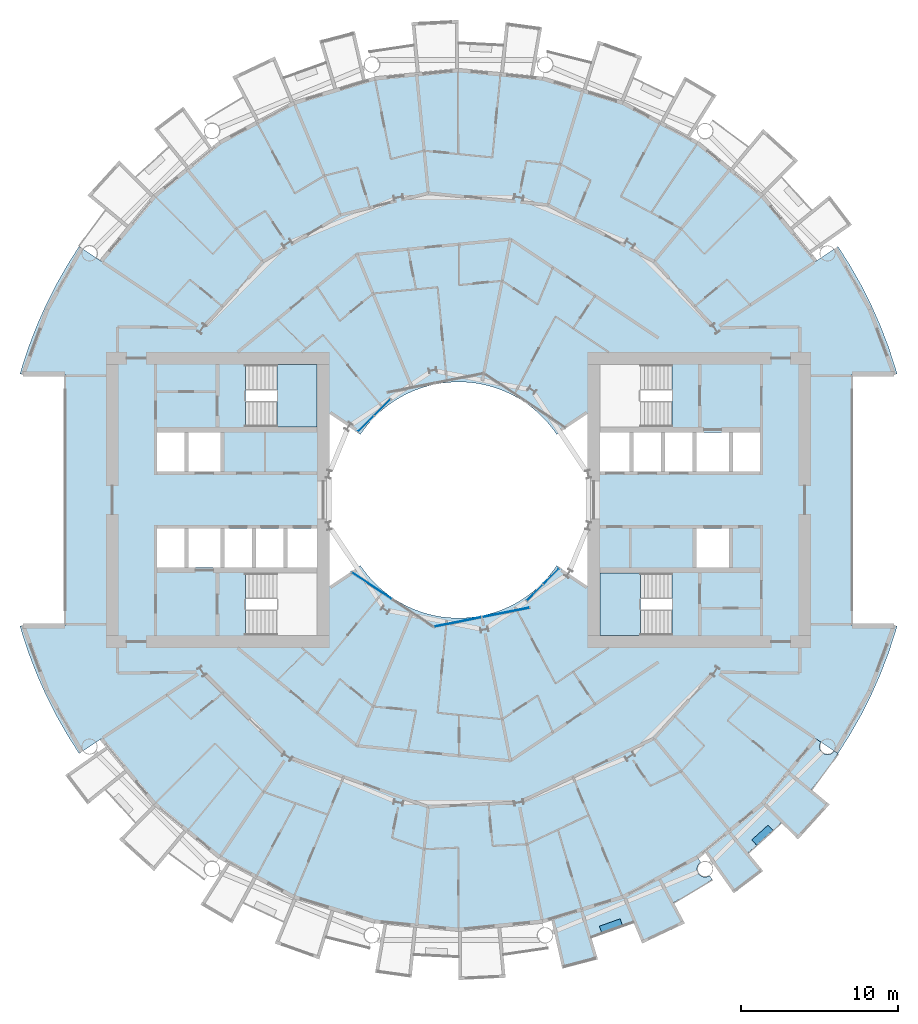
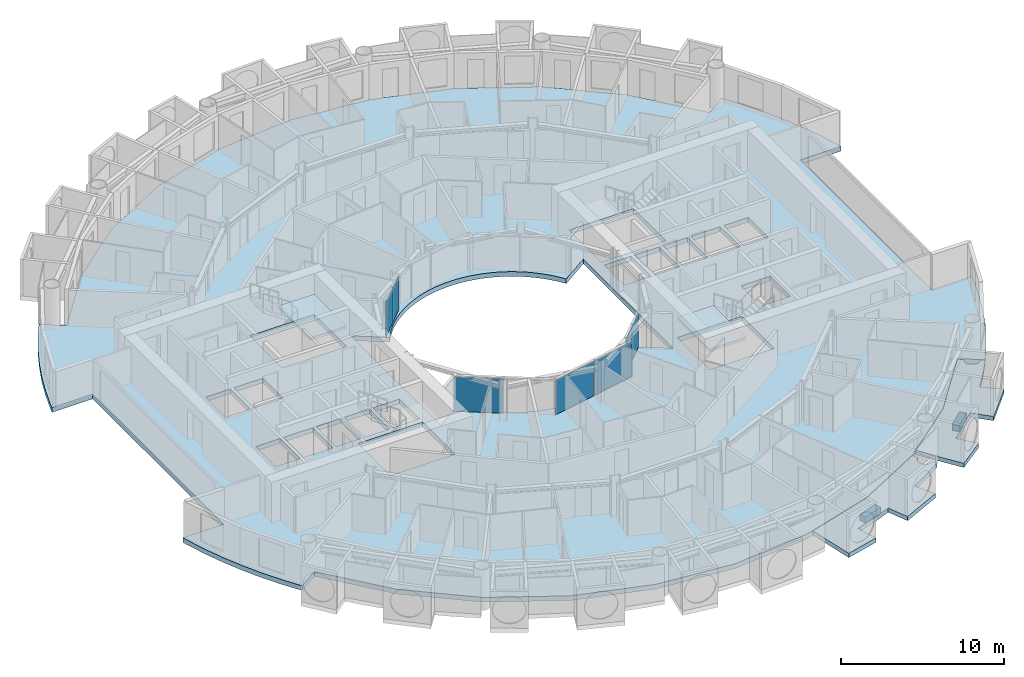
# One storey, part 10 of 26: 7 plates, 7 slabs, 6 elements without a shape of their own.
"""IFC4 building model written with IfcOpenShell, lengths in metres."""

from ifc_helpers import new_model, si_unit, direction, frame, origin, origin_2d, place, context, subcontext, project, spatial, polyline, rectangle, outline, extrude, material, layer, layer_set, type_object, element, aggregate, save


model = new_model("IFC4")

# Units and contexts
model_context = context("Model", 3, precision=1e-05, world=origin(), true_north=direction((0.0, 1.0)))
body_context = subcontext(model_context, "Body", "Model", "MODEL_VIEW")
ifc_project = project(units=[si_unit("LENGTHUNIT", "METRE"), si_unit("AREAUNIT", "SQUARE_METRE"), si_unit("VOLUMEUNIT", "CUBIC_METRE"), si_unit("PLANEANGLEUNIT", "RADIAN"), si_unit("MASSUNIT", "GRAM", prefix="KILO")], contexts=[model_context])

# Site, building, storey
site_placement = place(None, origin())
site = spatial("IfcSite", under=ifc_project, at=site_placement, CompositionType="ELEMENT")
building_placement = place(site_placement, origin())
building = spatial("IfcBuilding", under=site, at=building_placement, Name="Maasbend Ring Residences", CompositionType="ELEMENT")
storey_placement = place(building_placement, frame((0.0, 0.0, 25.85009765625)))
storey = spatial("IfcBuildingStorey", under=building, at=storey_placement, Name="L06", CompositionType="ELEMENT", Elevation=25.85009765625)

# Stair, slab
ifc_material_1 = material(Name="Concrete C40/50", Category="concrete")
stair_type = type_object("IfcStairType", Name="CORE STAIR 18 RISERS", PredefinedType="HALF_TURN_STAIR", material=ifc_material_1)
stair_1_placement = place(storey_placement, origin())
stair_1 = element("IfcStair", 1, at=stair_1_placement, inside=storey, type_object=stair_type, Name="L06 Exit stair ST-E2", PredefinedType="HALF_TURN_STAIR")
ifc_material_2 = material(Name="Concrete C40/50", Category="concrete")
ifc_layer_1 = layer(ifc_material_2, 0.199951171875)
ifc_layer_set_1 = layer_set([ifc_layer_1], Name="Concrete C40/50")
slab_type_1 = type_object("IfcSlabType", Name="CORE STAIR LANDING 200", PredefinedType="LANDING", material=ifc_layer_set_1)
slab_1_placement = place(storey_placement, frame((0.0, 0.0, 1.324951171875)))
slab_1 = element("IfcSlab", 2, at=slab_1_placement, type_object=slab_type_1, Name="ST-E2 landing 1", PredefinedType="LANDING", context=body_context, shape_type="SweptSolid", body=[
    extrude(outline(polyline([(11.550048828125, -4.64990234375), (9.0, -4.64990234375), (9.0, -8.60009765625), (11.550048828125, -8.60009765625), (11.550048828125, -4.64990234375)])), origin(), (0.0, 0.0, 1.0), 0.199951171875),
])
aggregate(stair_1, [slab_1])

stair_2_placement = place(storey_placement, origin())
stair_2 = element("IfcStair", 3, at=stair_2_placement, inside=storey, type_object=stair_type, Name="L06 Exit stair ST-W2", PredefinedType="HALF_TURN_STAIR")
slab_2_placement = place(storey_placement, frame((0.0, 0.0, 1.324951171875)))
slab_2 = element("IfcSlab", 4, at=slab_2_placement, type_object=slab_type_1, Name="ST-W2 landing 1", PredefinedType="LANDING", context=body_context, shape_type="SweptSolid", body=[
    extrude(outline(polyline([(-11.550048828125, 4.64990234375), (-9.0, 4.64990234375), (-9.0, 8.60009765625), (-11.550048828125, 8.60009765625), (-11.550048828125, 4.64990234375)])), origin(), (0.0, 0.0, 1.0), 0.199951171875),
])
aggregate(stair_2, [slab_2])

# Curtain wall, plates
ifc_material_3 = material(Name="Aluminium and clear glass", Category="aluminium")
ifc_layer_2 = layer(ifc_material_3, 0.179931640625)
ifc_layer_set_2 = layer_set([ifc_layer_2], Name="CW-W")
curtain_wall_type = type_object("IfcCurtainWallType", Name="CW-W", PredefinedType="NOTDEFINED", material=ifc_layer_set_2)
curtain_wall_1_placement = place(storey_placement, origin())
curtain_wall_1 = element("IfcCurtainWall", 5, at=curtain_wall_1_placement, inside=storey, type_object=curtain_wall_type, Name="Well curtain wall N3", PredefinedType="NOTDEFINED")
ifc_material_4 = material(Name="Glass clear laminated", Category="glass")
ifc_layer_3 = layer(ifc_material_4, 0.031982421875)
ifc_layer_set_3 = layer_set([ifc_layer_3], Name="CWP-W")
plate_type = type_object("IfcPlateType", Name="CWP-W", PredefinedType="CURTAIN_PANEL", material=ifc_layer_set_3)
plate_1_placement = place(storey_placement, frame((-4.84375, 5.89013671875, -0.000244140625), z_axis=(0.0, 0.0, 1.0), x_axis=(-0.707106781187, -0.707106781187, 0.0)))
plate_1 = element("IfcPlate", 6, at=plate_1_placement, type_object=plate_type, Name="Glass panel well face", PredefinedType="CURTAIN_PANEL", context=body_context, shape_type="SweptSolid", body=[
    extrude(rectangle(XDim=1.419677734375, YDim=0.031982421875, at=origin_2d()), origin(), (0.0, 0.0, 1.0), 2.580078125),
])
plate_2_placement = place(storey_placement, frame((-5.89013671875, 4.84375, -0.000244140625), z_axis=(0.0, 0.0, 1.0), x_axis=(-0.707106781187, -0.707106781187, 0.0)))
plate_2 = element("IfcPlate", 7, at=plate_2_placement, type_object=plate_type, Name="Glass panel well face", PredefinedType="CURTAIN_PANEL", context=body_context, shape_type="SweptSolid", body=[
    extrude(rectangle(XDim=1.419677734375, YDim=0.031982421875, at=origin_2d()), origin(), (0.0, 0.0, 1.0), 2.580078125),
])
aggregate(curtain_wall_1, [plate_1, plate_2])

# Curtain wall, plate
curtain_wall_2_placement = place(storey_placement, origin())
curtain_wall_2 = element("IfcCurtainWall", 8, at=curtain_wall_2_placement, inside=storey, type_object=curtain_wall_type, Name="Well curtain wall S1", PredefinedType="NOTDEFINED")
plate_3_placement = place(storey_placement, frame((-5.51123046875, -5.44580078125, -0.000244140625), z_axis=(0.0, 0.0, 1.0), x_axis=(0.831469612303, -0.55557023302, 0.0)))
plate_3 = element("IfcPlate", 9, at=plate_3_placement, type_object=plate_type, Name="Glass panel well face", PredefinedType="CURTAIN_PANEL", context=body_context, shape_type="SweptSolid", body=[
    extrude(rectangle(XDim=3.053955078125, YDim=0.031982421875, at=origin_2d()), origin(), (0.0, 0.0, 1.0), 2.580078125),
])
aggregate(curtain_wall_2, [plate_3])

# Curtain wall, plates
curtain_wall_3_placement = place(storey_placement, origin())
curtain_wall_3 = element("IfcCurtainWall", 10, at=curtain_wall_3_placement, inside=storey, type_object=curtain_wall_type, Name="Well curtain wall S2", PredefinedType="NOTDEFINED")
plate_4_placement = place(storey_placement, frame((-0.04638671875, -7.747802734375, -0.000244140625), z_axis=(0.0, 0.0, 1.0), x_axis=(0.980785280403, 0.195090322016, 0.0)))
plate_4 = element("IfcPlate", 11, at=plate_4_placement, type_object=plate_type, Name="Glass panel well face", PredefinedType="CURTAIN_PANEL", context=body_context, shape_type="SweptSolid", body=[
    extrude(rectangle(XDim=3.053955078125, YDim=0.031982421875, at=origin_2d()), origin(), (0.0, 0.0, 1.0), 2.580078125),
])
plate_5_placement = place(storey_placement, frame((3.0078125, -7.140380859375, -0.000244140625), z_axis=(0.0, 0.0, 1.0), x_axis=(0.980785280403, 0.195090322016, 0.0)))
plate_5 = element("IfcPlate", 12, at=plate_5_placement, type_object=plate_type, Name="Glass panel well face", PredefinedType="CURTAIN_PANEL", context=body_context, shape_type="SweptSolid", body=[
    extrude(rectangle(XDim=3.053955078125, YDim=0.031982421875, at=origin_2d()), origin(), (0.0, 0.0, 1.0), 2.580078125),
])
aggregate(curtain_wall_3, [plate_4, plate_5])

curtain_wall_4_placement = place(storey_placement, origin())
curtain_wall_4 = element("IfcCurtainWall", 13, at=curtain_wall_4_placement, inside=storey, type_object=curtain_wall_type, Name="Well curtain wall S3", PredefinedType="NOTDEFINED")
plate_6_placement = place(storey_placement, frame((4.84375, -5.89013671875, -0.000244140625), z_axis=(0.0, 0.0, 1.0), x_axis=(0.707106781187, 0.707106781187, 0.0)))
plate_6 = element("IfcPlate", 14, at=plate_6_placement, type_object=plate_type, Name="Glass panel well face", PredefinedType="CURTAIN_PANEL", context=body_context, shape_type="SweptSolid", body=[
    extrude(rectangle(XDim=1.419677734375, YDim=0.031982421875, at=origin_2d()), origin(), (0.0, 0.0, 1.0), 2.580078125),
])
plate_7_placement = place(storey_placement, frame((5.89013671875, -4.84375, -0.000244140625), z_axis=(0.0, 0.0, 1.0), x_axis=(0.707106781187, 0.707106781187, 0.0)))
plate_7 = element("IfcPlate", 15, at=plate_7_placement, type_object=plate_type, Name="Glass panel well face", PredefinedType="CURTAIN_PANEL", context=body_context, shape_type="SweptSolid", body=[
    extrude(rectangle(XDim=1.419677734375, YDim=0.031982421875, at=origin_2d()), origin(), (0.0, 0.0, 1.0), 2.580078125),
])
aggregate(curtain_wall_4, [plate_6, plate_7])

# Slabs
ifc_material_5 = material(Name="Planting with climbing greenery")
ifc_layer_4 = layer(ifc_material_5, 0.449951171875)
ifc_layer_set_4 = layer_set([ifc_layer_4], Name="PLANTER-LG")
slab_type_2 = type_object("IfcSlabType", Name="PLANTER-LG", PredefinedType="USERDEFINED", material=ifc_layer_set_4)
slab_3_placement = place(storey_placement, frame((0.0, 0.0, -0.030029296875)))
element("IfcSlab", 16, at=slab_3_placement, inside=storey, type_object=slab_type_2, Name="Planter with climbing greenery 4", ObjectType="PLANTER", PredefinedType="USERDEFINED", context=body_context, shape_type="SweptSolid", body=[
    extrude(outline(polyline([(9.09912109375, -27.508056640625), (10.4169921875, -27.035888671875), (10.26611328125, -26.612060546875), (8.947021484375, -27.083984375), (9.09912109375, -27.508056640625)])), origin(), (0.0, 0.0, 1.0), 0.449951171875),
])
slab_4_placement = place(storey_placement, frame((0.0, 0.0, -0.030029296875)))
element("IfcSlab", 17, at=slab_4_placement, inside=storey, type_object=slab_type_2, Name="Planter with climbing greenery 5", ObjectType="PLANTER", PredefinedType="USERDEFINED", context=body_context, shape_type="SweptSolid", body=[
    extrude(outline(polyline([(18.93310546875, -21.931884765625), (19.969970703125, -20.991943359375), (19.66796875, -20.657958984375), (18.631103515625, -21.597900390625), (18.93310546875, -21.931884765625)])), origin(), (0.0, 0.0, 1.0), 0.449951171875),
])
ifc_material_6 = material(Name="Concrete C40/50", Category="concrete")
ifc_layer_5 = layer(ifc_material_6, 0.35009765625)
ifc_layer_set_5 = layer_set([ifc_layer_5], Name="Concrete C40/50")
slab_type_3 = type_object("IfcSlabType", Name="Post-tensioned flat plate 350", PredefinedType="FLOOR", material=ifc_layer_set_5)
slab_5_placement = place(storey_placement, frame((0.0, 0.0, -0.35009765625)))
element("IfcSlab", 18, at=slab_5_placement, inside=storey, type_object=slab_type_3, Name="Floor slab L06", PredefinedType="FLOOR", context=body_context, shape_type="SweptSolid", body=[
    extrude(outline(polyline([(24.8740234375, -14.908935546875), (25.57568359375, -13.67041015625), (26.2158203125, -12.399169921875), (26.79248046875, -11.097900390625), (27.3046875, -9.769775390625), (27.751220703125, -8.418212890625), (27.866943359375, -8.0), (25.0, -8.0), (25.0, 8.0), (27.866943359375, 8.0), (27.751220703125, 8.418212890625), (27.3046875, 9.769775390625), (26.79248046875, 11.097900390625), (26.2158203125, 12.399169921875), (25.57568359375, 13.67041015625), (24.8740234375, 14.908935546875), (24.112548828125, 16.111572265625), (22.69921875, 15.1669921875), (19.303955078125, 19.303955078125), (15.1669921875, 22.69921875), (10.447265625, 25.221923828125), (5.325927734375, 26.775390625), (0.0, 27.300048828125), (-5.325927734375, 26.775390625), (-10.447265625, 25.221923828125), (-15.1669921875, 22.69921875), (-19.303955078125, 19.303955078125), (-22.69921875, 15.1669921875), (-24.112548828125, 16.111572265625), (-24.8740234375, 14.908935546875), (-25.57568359375, 13.67041015625), (-26.2158203125, 12.399169921875), (-26.79248046875, 11.097900390625), (-27.3046875, 9.769775390625), (-27.751220703125, 8.418212890625), (-27.866943359375, 8.0), (-25.0, 8.0), (-25.0, -8.0), (-27.866943359375, -8.0), (-27.751220703125, -8.418212890625), (-27.3046875, -9.769775390625), (-26.79248046875, -11.097900390625), (-26.2158203125, -12.399169921875), (-25.57568359375, -13.67041015625), (-24.8740234375, -14.908935546875), (-24.112548828125, -16.111572265625), (-22.69921875, -15.1669921875), (-19.303955078125, -19.303955078125), (-15.1669921875, -22.69921875), (-10.447265625, -25.221923828125), (-5.325927734375, -26.775390625), (0.0, -27.300048828125), (5.325927734375, -26.775390625), (10.447265625, -25.221923828125), (15.1669921875, -22.69921875), (19.303955078125, -19.303955078125), (22.69921875, -15.1669921875), (24.112548828125, -16.111572265625), (24.8740234375, -14.908935546875)]), holes=[polyline([(17.425048828125, 4.27490234375), (19.14990234375, 4.27490234375), (19.14990234375, 1.824951171875), (17.425048828125, 1.824951171875), (17.425048828125, 4.27490234375)]), polyline([(15.125, 1.824951171875), (15.125, 4.27490234375), (17.175048828125, 4.27490234375), (17.175048828125, 1.824951171875), (15.125, 1.824951171875)]), polyline([(15.125, -4.27490234375), (15.125, -1.824951171875), (17.175048828125, -1.824951171875), (17.175048828125, -4.27490234375), (15.125, -4.27490234375)]), polyline([(13.125, 1.824951171875), (13.125, 4.27490234375), (14.875, 4.27490234375), (14.875, 1.824951171875), (13.125, 1.824951171875)]), polyline([(13.550048828125, 4.64990234375), (9.0, 4.64990234375), (9.0, 8.60009765625), (13.550048828125, 8.60009765625), (13.550048828125, 4.64990234375)]), polyline([(13.550048828125, -4.64990234375), (13.550048828125, -8.60009765625), (9.0, -8.60009765625), (9.0, -4.64990234375), (13.550048828125, -4.64990234375)]), polyline([(11.125, 1.824951171875), (11.125, 4.27490234375), (12.875, 4.27490234375), (12.875, 1.824951171875), (11.125, 1.824951171875)]), polyline([(9.0, 1.824951171875), (9.0, 4.27490234375), (10.875, 4.27490234375), (10.875, 1.824951171875), (9.0, 1.824951171875)]), polyline([(6.024169921875, 4.4677734375), (6.236083984375, 4.166748046875), (8.199951171875, 5.47900390625), (8.199951171875, -5.47900390625), (6.236083984375, -4.166748046875), (6.024169921875, -4.4677734375), (5.797607421875, -4.7578125), (5.55712890625, -5.03662109375), (5.30322265625, -5.30322265625), (5.03662109375, -5.55712890625), (4.7578125, -5.797607421875), (4.4677734375, -6.024169921875), (4.166748046875, -6.236083984375), (3.855712890625, -6.43310546875), (3.535400390625, -6.614501953125), (3.206787109375, -6.77978515625), (2.8701171875, -6.92919921875), (2.526611328125, -7.0615234375), (2.177001953125, -7.177001953125), (1.822509765625, -7.275146484375), (1.463134765625, -7.35595703125), (1.1005859375, -7.418701171875), (0.735107421875, -7.4638671875), (0.367919921875, -7.490966796875), (0.0, -7.5), (-0.367919921875, -7.490966796875), (-0.735107421875, -7.4638671875), (-1.1005859375, -7.418701171875), (-1.463134765625, -7.35595703125), (-1.822509765625, -7.275146484375), (-2.177001953125, -7.177001953125), (-2.526611328125, -7.0615234375), (-2.8701171875, -6.92919921875), (-3.206787109375, -6.77978515625), (-3.535400390625, -6.614501953125), (-3.855712890625, -6.43310546875), (-4.166748046875, -6.236083984375), (-4.4677734375, -6.024169921875), (-4.7578125, -5.797607421875), (-5.03662109375, -5.55712890625), (-5.30322265625, -5.30322265625), (-5.55712890625, -5.03662109375), (-5.797607421875, -4.7578125), (-6.024169921875, -4.4677734375), (-6.236083984375, -4.166748046875), (-8.199951171875, -5.47900390625), (-8.199951171875, 5.47900390625), (-6.236083984375, 4.166748046875), (-6.236083984375, 4.166748046875), (-6.024169921875, 4.4677734375), (-5.797607421875, 4.7578125), (-5.55712890625, 5.03662109375), (-5.30322265625, 5.30322265625), (-5.03662109375, 5.55712890625), (-4.7578125, 5.797607421875), (-4.4677734375, 6.024169921875), (-4.166748046875, 6.236083984375), (-3.855712890625, 6.43310546875), (-3.535400390625, 6.614501953125), (-3.206787109375, 6.77978515625), (-2.8701171875, 6.92919921875), (-2.526611328125, 7.0615234375), (-2.177001953125, 7.177001953125), (-1.822509765625, 7.275146484375), (-1.463134765625, 7.35595703125), (-1.1005859375, 7.418701171875), (-0.735107421875, 7.4638671875), (-0.367919921875, 7.490966796875), (0.0, 7.5), (0.367919921875, 7.490966796875), (0.735107421875, 7.4638671875), (1.1005859375, 7.418701171875), (1.463134765625, 7.35595703125), (1.822509765625, 7.275146484375), (2.177001953125, 7.177001953125), (2.526611328125, 7.0615234375), (2.8701171875, 6.92919921875), (3.206787109375, 6.77978515625), (3.535400390625, 6.614501953125), (3.855712890625, 6.43310546875), (4.166748046875, 6.236083984375), (4.4677734375, 6.024169921875), (4.7578125, 5.797607421875), (5.03662109375, 5.55712890625), (5.30322265625, 5.30322265625), (5.55712890625, 5.03662109375), (5.797607421875, 4.7578125), (6.024169921875, 4.4677734375)]), polyline([(-13.550048828125, 4.64990234375), (-13.550048828125, 8.60009765625), (-9.0, 8.60009765625), (-9.0, 4.64990234375), (-13.550048828125, 4.64990234375)]), polyline([(-13.550048828125, -8.60009765625), (-13.550048828125, -4.64990234375), (-9.0, -4.64990234375), (-9.0, -8.60009765625), (-13.550048828125, -8.60009765625)]), polyline([(-9.0, -1.824951171875), (-9.0, -4.27490234375), (-10.875, -4.27490234375), (-10.875, -1.824951171875), (-9.0, -1.824951171875)]), polyline([(-11.125, -1.824951171875), (-11.125, -4.27490234375), (-12.875, -4.27490234375), (-12.875, -1.824951171875), (-11.125, -1.824951171875)]), polyline([(-13.125, -1.824951171875), (-13.125, -4.27490234375), (-14.875, -4.27490234375), (-14.875, -1.824951171875), (-13.125, -1.824951171875)]), polyline([(-15.125, 4.27490234375), (-15.125, 1.824951171875), (-17.175048828125, 1.824951171875), (-17.175048828125, 4.27490234375), (-15.125, 4.27490234375)]), polyline([(-15.125, -1.824951171875), (-15.125, -4.27490234375), (-17.175048828125, -4.27490234375), (-17.175048828125, -1.824951171875), (-15.125, -1.824951171875)]), polyline([(-17.425048828125, -1.824951171875), (-17.425048828125, -4.27490234375), (-19.14990234375, -4.27490234375), (-19.14990234375, -1.824951171875), (-17.425048828125, -1.824951171875)]), polyline([(-17.425048828125, 4.27490234375), (-17.425048828125, 1.824951171875), (-19.14990234375, 1.824951171875), (-19.14990234375, 4.27490234375), (-17.425048828125, 4.27490234375)])]), origin(), (0.0, 0.0, 1.0), 0.35009765625),
])
ifc_material_7 = material(Name="Concrete C40/50", Category="concrete")
ifc_layer_6 = layer(ifc_material_7, 0.199951171875)
ifc_layer_set_6 = layer_set([ifc_layer_6], Name="Concrete C40/50")
slab_type_4 = type_object("IfcSlabType", Name="SL-LOGGIA", PredefinedType="FLOOR", material=ifc_layer_set_6)
slab_6_placement = place(storey_placement, frame((0.0, 0.0, -0.35009765625)))
element("IfcSlab", 19, at=slab_6_placement, inside=storey, type_object=slab_type_4, Name="Loggia floor 1", PredefinedType="FLOOR", context=body_context, shape_type="SweptSolid", body=[
    extrude(outline(polyline([(10.447021484375, -25.221923828125), (12.806884765625, -23.9609375), (15.1669921875, -22.698974609375), (15.1669921875, -22.698974609375), (15.1669921875, -22.698974609375), (15.385009765625, -23.02490234375), (15.375, -23.031982421875), (15.364013671875, -23.0390625), (15.35498046875, -23.047119140625), (15.344970703125, -23.054931640625), (15.3349609375, -23.06298828125), (15.325927734375, -23.071044921875), (15.31689453125, -23.0791015625), (15.30810546875, -23.087890625), (15.299072265625, -23.096923828125), (15.291015625, -23.10595703125), (15.281982421875, -23.115966796875), (15.27392578125, -23.125), (15.26708984375, -23.135009765625), (15.259033203125, -23.14501953125), (15.251953125, -23.155029296875), (15.2451171875, -23.1650390625), (15.238037109375, -23.176025390625), (15.23095703125, -23.18603515625), (15.22509765625, -23.197021484375), (15.218994140625, -23.2080078125), (15.212890625, -23.218994140625), (15.2080078125, -23.22998046875), (15.202880859375, -23.241943359375), (15.197998046875, -23.2529296875), (15.193115234375, -23.264892578125), (15.18896484375, -23.27587890625), (15.18505859375, -23.2880859375), (15.180908203125, -23.300048828125), (15.177978515625, -23.31201171875), (15.174072265625, -23.323974609375), (15.1708984375, -23.3359375), (15.1689453125, -23.347900390625), (15.1669921875, -23.361083984375), (15.1650390625, -23.373046875), (15.1630859375, -23.385009765625), (15.162109375, -23.39794921875), (15.159912109375, -23.409912109375), (15.159912109375, -23.422119140625), (15.158935546875, -23.43505859375), (15.158935546875, -23.447021484375), (15.158935546875, -23.4599609375), (15.159912109375, -23.471923828125), (15.159912109375, -23.485107421875), (15.162109375, -23.4970703125), (15.1630859375, -23.510009765625), (15.1650390625, -23.52197265625), (15.1669921875, -23.533935546875), (15.1689453125, -23.547119140625), (15.1708984375, -23.55908203125), (15.174072265625, -23.571044921875), (15.177978515625, -23.5830078125), (15.180908203125, -23.594970703125), (15.18505859375, -23.60693359375), (15.18896484375, -23.618896484375), (15.193115234375, -23.6298828125), (15.197998046875, -23.64208984375), (15.202880859375, -23.653076171875), (15.2080078125, -23.6650390625), (15.212890625, -23.676025390625), (15.218994140625, -23.68701171875), (15.22509765625, -23.697998046875), (15.23095703125, -23.708984375), (15.238037109375, -23.718994140625), (15.2451171875, -23.72998046875), (15.251953125, -23.739990234375), (15.259033203125, -23.75), (15.26708984375, -23.760009765625), (15.27392578125, -23.77001953125), (15.281982421875, -23.779052734375), (15.291015625, -23.7890625), (15.299072265625, -23.798095703125), (15.30810546875, -23.806884765625), (15.31689453125, -23.81494140625), (15.325927734375, -23.823974609375), (15.3349609375, -23.83203125), (15.344970703125, -23.840087890625), (15.35498046875, -23.847900390625), (15.364013671875, -23.85498046875), (15.375, -23.863037109375), (15.385009765625, -23.8701171875), (15.39501953125, -23.876953125), (15.406005859375, -23.883056640625), (15.4169921875, -23.888916015625), (15.427978515625, -23.89501953125), (15.43896484375, -23.90087890625), (15.449951171875, -23.906982421875), (15.4609375, -23.912109375), (15.472900390625, -23.9169921875), (15.48388671875, -23.9208984375), (15.49609375, -23.926025390625), (15.508056640625, -23.929931640625), (15.52001953125, -23.93408203125), (15.531982421875, -23.93701171875), (15.5439453125, -23.93994140625), (15.555908203125, -23.943115234375), (15.568115234375, -23.946044921875), (15.580078125, -23.947998046875), (15.593017578125, -23.949951171875), (15.60498046875, -23.951904296875), (15.616943359375, -23.952880859375), (15.6298828125, -23.9541015625), (15.64208984375, -23.955078125), (15.655029296875, -23.955078125), (15.6669921875, -23.955078125), (15.679931640625, -23.955078125), (15.69189453125, -23.955078125), (15.7041015625, -23.9541015625), (15.717041015625, -23.952880859375), (15.72900390625, -23.951904296875), (15.741943359375, -23.949951171875), (15.75390625, -23.947998046875), (15.76611328125, -23.946044921875), (15.778076171875, -23.943115234375), (15.791015625, -23.93994140625), (15.802978515625, -23.93701171875), (15.81494140625, -23.93408203125), (15.825927734375, -23.929931640625), (15.837890625, -23.926025390625), (15.85009765625, -23.9208984375), (15.862060546875, -23.9169921875), (15.873046875, -23.912109375), (15.884033203125, -23.906982421875), (15.89599609375, -23.90087890625), (15.906982421875, -23.89501953125), (15.9169921875, -23.888916015625), (15.927978515625, -23.883056640625), (15.93896484375, -23.876953125), (15.948974609375, -23.8701171875), (16.112060546875, -24.113037109375), (16.112060546875, -24.113037109375), (16.112060546875, -24.113037109375), (15.31396484375, -24.626953125), (15.31396484375, -24.626953125), (14.5, -25.114990234375), (14.5, -25.114990234375), (13.6708984375, -25.574951171875), (13.6708984375, -25.575927734375), (13.6708984375, -25.575927734375), (13.6708984375, -25.575927734375), (13.6708984375, -25.575927734375), (13.6708984375, -25.575927734375), (13.6708984375, -25.575927734375), (13.6708984375, -25.575927734375), (13.6708984375, -25.575927734375), (13.6708984375, -25.575927734375), (13.6708984375, -25.575927734375), (13.6708984375, -25.575927734375), (13.6708984375, -25.575927734375), (13.6708984375, -25.575927734375), (13.6708984375, -25.575927734375), (13.6708984375, -25.575927734375), (13.6708984375, -25.575927734375), (14.3779296875, -26.89892578125), (14.3779296875, -26.89892578125), (14.3779296875, -26.89892578125), (11.672119140625, -28.177978515625), (11.672119140625, -28.177978515625), (11.672119140625, -28.177978515625), (11.097900390625, -26.79296875), (11.097900390625, -26.79296875), (11.097900390625, -26.79296875), (11.097900390625, -26.79296875), (11.097900390625, -26.79296875), (11.097900390625, -26.79296875), (11.097900390625, -26.79296875), (11.097900390625, -26.79296875), (11.097900390625, -26.79296875), (11.097900390625, -26.79296875), (11.097900390625, -26.79296875), (11.097900390625, -26.79296875), (11.097900390625, -26.79296875), (11.097900390625, -26.79296875), (11.096923828125, -26.79296875), (11.096923828125, -26.79296875), (11.096923828125, -26.79296875), (10.215087890625, -27.14111328125), (10.215087890625, -27.14111328125), (9.322021484375, -27.4609375), (9.322021484375, -27.4609375), (8.4189453125, -27.7509765625), (8.4189453125, -27.7509765625), (8.4189453125, -27.7509765625), (8.4189453125, -27.7509765625), (8.4189453125, -27.7509765625), (8.4189453125, -27.7509765625), (8.41796875, -27.7509765625), (8.41796875, -27.7509765625), (8.41796875, -27.7509765625), (8.41796875, -27.7509765625), (8.41796875, -27.7509765625), (8.41796875, -27.751953125), (8.41796875, -27.751953125), (8.41796875, -27.751953125), (8.41796875, -27.751953125), (8.41796875, -27.751953125), (8.41796875, -27.751953125), (8.85400390625, -29.18701171875), (8.85400390625, -29.18701171875), (8.85400390625, -29.18701171875), (6.593994140625, -29.779052734375), (6.593994140625, -29.779052734375), (6.593994140625, -29.779052734375), (5.89111328125, -26.60400390625), (5.89111328125, -26.60400390625), (5.89111328125, -26.60400390625), (7.886962890625, -25.9990234375), (10.447021484375, -25.221923828125), (10.447021484375, -25.221923828125), (10.447021484375, -25.221923828125)])), origin(), (0.0, 0.0, 1.0), 0.320068359375),
])
slab_7_placement = place(storey_placement, frame((0.0, 0.0, -0.35009765625)))
element("IfcSlab", 20, at=slab_7_placement, inside=storey, type_object=slab_type_4, Name="Loggia floor 4", PredefinedType="FLOOR", context=body_context, shape_type="SweptSolid", body=[
    extrude(outline(polyline([(19.303955078125, -19.303955078125), (21.001953125, -17.236083984375), (22.698974609375, -15.1669921875), (22.698974609375, -15.1669921875), (22.698974609375, -15.1669921875), (23.02490234375, -15.385009765625), (23.02490234375, -15.385009765625), (23.01806640625, -15.39501953125), (23.011962890625, -15.406005859375), (23.0048828125, -15.4169921875), (22.9990234375, -15.427978515625), (22.993896484375, -15.43896484375), (22.988037109375, -15.449951171875), (22.98291015625, -15.4609375), (22.97802734375, -15.472900390625), (22.972900390625, -15.48388671875), (22.968994140625, -15.49609375), (22.965087890625, -15.508056640625), (22.9609375, -15.52001953125), (22.9580078125, -15.531982421875), (22.955078125, -15.5439453125), (22.951904296875, -15.555908203125), (22.948974609375, -15.568115234375), (22.947021484375, -15.580078125), (22.945068359375, -15.593017578125), (22.943115234375, -15.60498046875), (22.94189453125, -15.616943359375), (22.94091796875, -15.6298828125), (22.93994140625, -15.64208984375), (22.93994140625, -15.655029296875), (22.93896484375, -15.6669921875), (22.93994140625, -15.679931640625), (22.93994140625, -15.69189453125), (22.94091796875, -15.7041015625), (22.94189453125, -15.717041015625), (22.943115234375, -15.72900390625), (22.945068359375, -15.741943359375), (22.947021484375, -15.75390625), (22.948974609375, -15.76611328125), (22.951904296875, -15.778076171875), (22.955078125, -15.791015625), (22.9580078125, -15.802978515625), (22.9609375, -15.81494140625), (22.965087890625, -15.825927734375), (22.968994140625, -15.837890625), (22.972900390625, -15.85009765625), (22.97802734375, -15.862060546875), (22.98291015625, -15.873046875), (22.988037109375, -15.884033203125), (22.993896484375, -15.89599609375), (22.9990234375, -15.906982421875), (23.0048828125, -15.9169921875), (23.011962890625, -15.927978515625), (23.01806640625, -15.93896484375), (23.02490234375, -15.948974609375), (23.031982421875, -15.9599609375), (23.0390625, -15.969970703125), (23.047119140625, -15.97998046875), (23.054931640625, -15.989013671875), (23.06298828125, -15.9990234375), (23.071044921875, -16.008056640625), (23.0791015625, -16.01708984375), (23.087890625, -16.02587890625), (23.096923828125, -16.034912109375), (23.10595703125, -16.0439453125), (23.115966796875, -16.052001953125), (23.125, -16.06005859375), (23.135009765625, -16.068115234375), (23.14501953125, -16.074951171875), (23.155029296875, -16.08203125), (23.1650390625, -16.089111328125), (23.176025390625, -16.095947265625), (23.18603515625, -16.10302734375), (23.197021484375, -16.10888671875), (23.2080078125, -16.114990234375), (23.218994140625, -16.12109375), (23.22998046875, -16.1259765625), (23.241943359375, -16.132080078125), (23.2529296875, -16.135986328125), (23.264892578125, -16.14111328125), (23.27587890625, -16.14501953125), (23.2880859375, -16.14892578125), (23.300048828125, -16.153076171875), (23.31201171875, -16.156982421875), (23.323974609375, -16.159912109375), (23.3359375, -16.1630859375), (23.347900390625, -16.1650390625), (23.361083984375, -16.16796875), (23.373046875, -16.169921875), (23.385009765625, -16.1708984375), (23.39794921875, -16.173095703125), (23.409912109375, -16.174072265625), (23.422119140625, -16.174072265625), (23.43505859375, -16.175048828125), (23.447021484375, -16.175048828125), (23.4599609375, -16.175048828125), (23.471923828125, -16.174072265625), (23.485107421875, -16.174072265625), (23.4970703125, -16.173095703125), (23.510009765625, -16.1708984375), (23.52197265625, -16.169921875), (23.533935546875, -16.16796875), (23.547119140625, -16.1650390625), (23.55908203125, -16.1630859375), (23.571044921875, -16.159912109375), (23.5830078125, -16.156982421875), (23.594970703125, -16.153076171875), (23.60693359375, -16.14892578125), (23.618896484375, -16.14501953125), (23.6298828125, -16.14111328125), (23.64208984375, -16.135986328125), (23.653076171875, -16.132080078125), (23.6650390625, -16.1259765625), (23.676025390625, -16.12109375), (23.68701171875, -16.114990234375), (23.697998046875, -16.10888671875), (23.708984375, -16.10302734375), (23.718994140625, -16.095947265625), (23.72998046875, -16.089111328125), (23.739990234375, -16.08203125), (23.75, -16.074951171875), (23.760009765625, -16.068115234375), (23.77001953125, -16.06005859375), (23.779052734375, -16.052001953125), (23.7890625, -16.0439453125), (23.798095703125, -16.034912109375), (23.806884765625, -16.02587890625), (23.81494140625, -16.01708984375), (23.823974609375, -16.008056640625), (23.83203125, -15.9990234375), (23.840087890625, -15.989013671875), (23.847900390625, -15.97998046875), (23.85498046875, -15.969970703125), (23.863037109375, -15.9599609375), (23.8701171875, -15.948974609375), (23.8701171875, -15.948974609375), (24.113037109375, -16.112060546875), (24.113037109375, -16.112060546875), (24.113037109375, -16.112060546875), (23.572998046875, -16.89208984375), (23.572998046875, -16.89208984375), (23.007080078125, -17.654052734375), (23.007080078125, -17.654052734375), (22.41796875, -18.39697265625), (22.41796875, -18.39697265625), (22.41796875, -18.39697265625), (22.41796875, -18.39697265625), (22.41796875, -18.39697265625), (22.41796875, -18.39697265625), (22.41796875, -18.39697265625), (22.41796875, -18.39697265625), (22.41796875, -18.39697265625), (22.41796875, -18.39697265625), (22.41796875, -18.39697265625), (22.41796875, -18.39794921875), (22.41796875, -18.39794921875), (22.41796875, -18.39794921875), (22.41796875, -18.39794921875), (22.41796875, -18.39794921875), (22.41796875, -18.39794921875), (23.576904296875, -19.34912109375), (23.576904296875, -19.34912109375), (23.576904296875, -19.34912109375), (21.56689453125, -21.56689453125), (21.56689453125, -21.56689453125), (21.56689453125, -21.56689453125), (20.506103515625, -20.506103515625), (20.506103515625, -20.506103515625), (20.506103515625, -20.506103515625), (20.506103515625, -20.506103515625), (20.506103515625, -20.506103515625), (20.506103515625, -20.506103515625), (20.506103515625, -20.506103515625), (20.506103515625, -20.506103515625), (20.506103515625, -20.506103515625), (20.506103515625, -20.506103515625), (20.506103515625, -20.506103515625), (20.506103515625, -20.506103515625), (20.506103515625, -20.506103515625), (20.506103515625, -20.506103515625), (20.506103515625, -20.506103515625), (20.506103515625, -20.506103515625), (20.506103515625, -20.506103515625), (19.823974609375, -21.166015625), (19.823974609375, -21.166015625), (19.12109375, -21.802978515625), (19.12109375, -21.802978515625), (18.39794921875, -22.4169921875), (18.39794921875, -22.4169921875), (18.39794921875, -22.4169921875), (18.39794921875, -22.4169921875), (18.39794921875, -22.4169921875), (18.39794921875, -22.4169921875), (18.39794921875, -22.4169921875), (18.39794921875, -22.4169921875), (18.39794921875, -22.4169921875), (18.39794921875, -22.4169921875), (18.39794921875, -22.4169921875), (18.39794921875, -22.4169921875), (18.39794921875, -22.41796875), (18.39794921875, -22.41796875), (18.39794921875, -22.41796875), (18.39794921875, -22.41796875), (18.39794921875, -22.41796875), (19.34912109375, -23.576904296875), (19.34912109375, -23.576904296875), (19.34912109375, -23.576904296875), (17.488037109375, -24.989013671875), (17.488037109375, -24.989013671875), (17.488037109375, -24.989013671875), (15.623046875, -22.324951171875), (15.623046875, -22.324951171875), (15.623046875, -22.324951171875), (17.236083984375, -21.001953125), (19.303955078125, -19.303955078125), (19.303955078125, -19.303955078125), (19.303955078125, -19.303955078125)])), origin(), (0.0, 0.0, 1.0), 0.320068359375),
])

save(model, "model.ifc")
